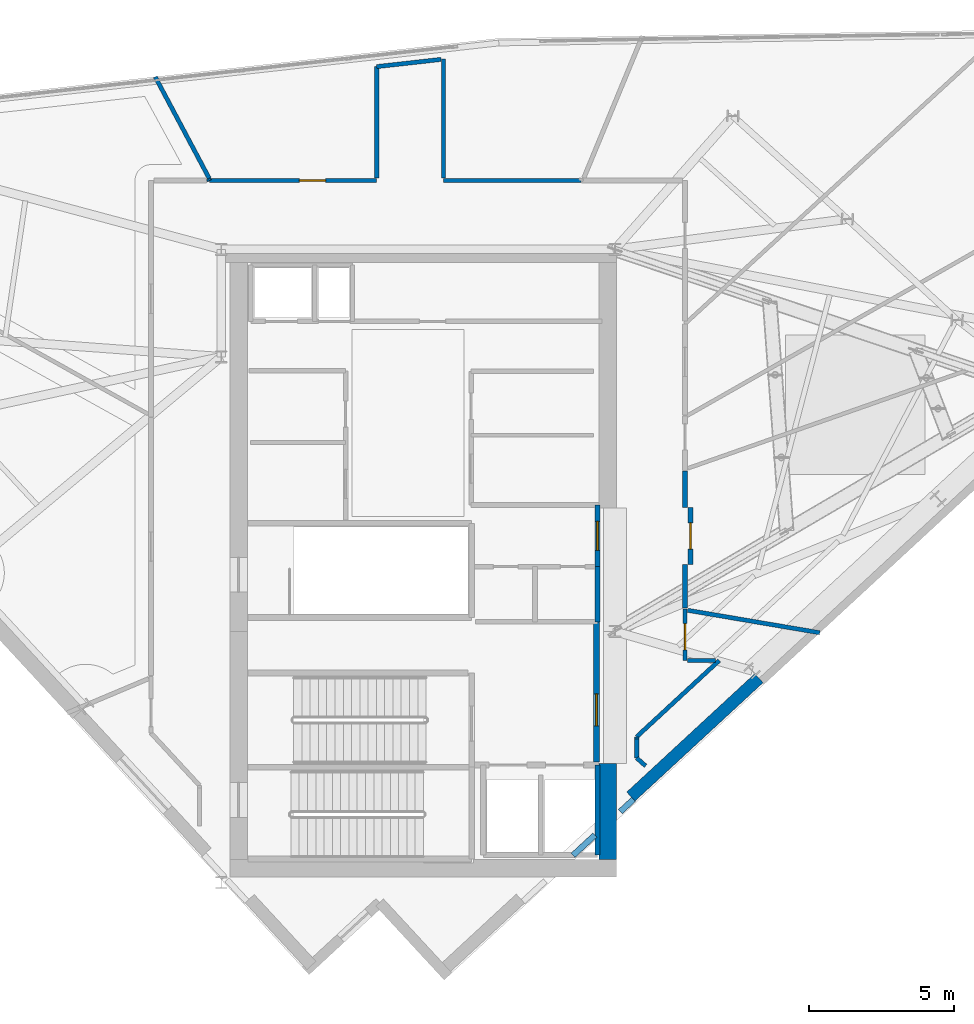
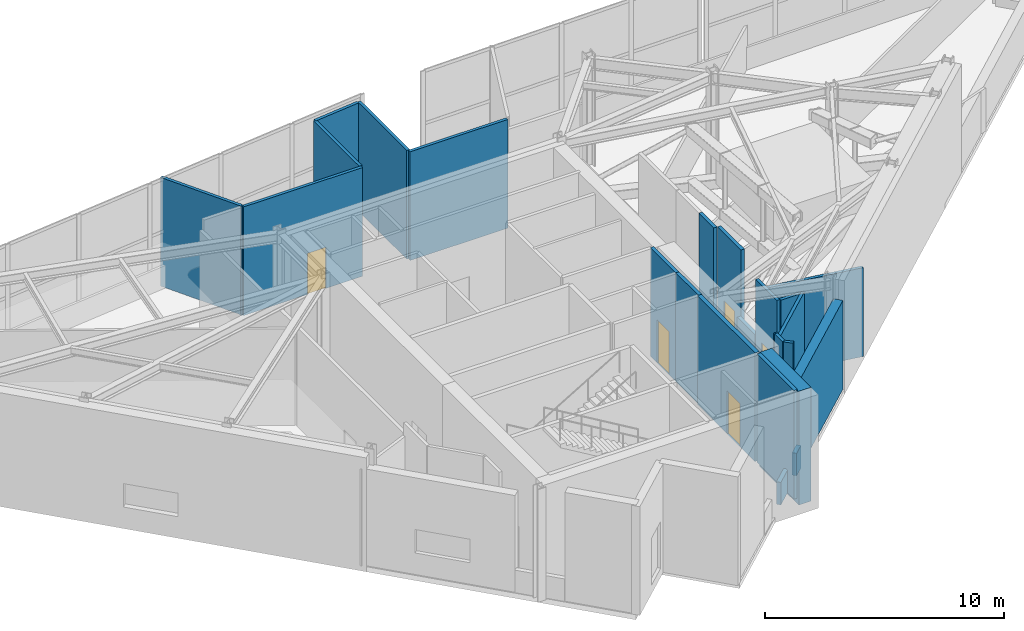
# One storey, part 11 of 15: 25 walls, 5 doors, 5 openings.
"""IFC4 building model written with IfcOpenShell, lengths in metres."""

from ifc_helpers import new_model, si_unit, direction, frame, frame_2d, origin, place, context, subcontext, project, spatial, rectangle, extrude, material, layer, layer_set, type_object, element, fill, save


model = new_model("IFC4")

# Units and contexts
model_context = context("Model", 3, precision=1e-05, world=origin(), true_north=direction((0.0, 1.0)))
body_context = subcontext(model_context, "Body", "Model", "MODEL_VIEW")
ifc_project = project(units=[si_unit("LENGTHUNIT", "METRE"), si_unit("AREAUNIT", "SQUARE_METRE"), si_unit("VOLUMEUNIT", "CUBIC_METRE"), si_unit("PLANEANGLEUNIT", "RADIAN"), si_unit("MASSUNIT", "GRAM", prefix="KILO")], contexts=[model_context])

# Site, building, storey
site_placement = place(None, origin())
site = spatial("IfcSite", under=ifc_project, at=site_placement, CompositionType="ELEMENT")
building_placement = place(site_placement, origin())
building = spatial("IfcBuilding", under=site, at=building_placement, Name="Narakoshi Arena Tower", CompositionType="ELEMENT")
storey_placement = place(building_placement, frame((0.0, 0.0, 292.419921875)))
storey = spatial("IfcBuildingStorey", under=building, at=storey_placement, Name="L80", CompositionType="ELEMENT", Elevation=292.419921875)

# Wall
ifc_material_1 = material(Name="Concrete C50/60", Category="concrete")
ifc_layer_1 = layer(ifc_material_1, 0.60009765625)
ifc_layer_set_1 = layer_set([ifc_layer_1], Name="Concrete C50/60")
wall_type_1 = type_object("IfcWallType", Name="WL-CORE-600", PredefinedType="SHEAR", material=ifc_layer_set_1)
wall_1_placement = place(storey_placement, frame((85.300048828125, 35.5, -0.260009765625), z_axis=(0.0, 0.0, 1.0), x_axis=(0.0, 1.0, 0.0)))
element("IfcWall", 1, at=wall_1_placement, inside=storey, type_object=wall_type_1, Name="L80 Central Core Shear Wall CW-APX-E", PredefinedType="SHEAR", context=body_context, shape_type="SweptSolid", body=[
    extrude(rectangle(XDim=3.300048828125, YDim=0.60009765625, at=frame_2d((1.64990234375, 0.0))), origin(), (0.0, 0.0, 1.0), 5.820068359375),
])

# Wall, opening, door
ifc_material_2 = material(Name="Gypsum plasterboard fire-rated partition")
ifc_layer_2 = layer(ifc_material_2, 0.1650390625)
ifc_layer_set_2 = layer_set([ifc_layer_2], Name="Gypsum plasterboard fire-rated partition")
wall_type_2 = type_object("IfcWallType", Name="WL-CORR-165", PredefinedType="PARTITIONING", material=ifc_layer_set_2)
wall_2_placement = place(storey_placement, frame((84.949951171875, 45.580078125, 0.0), z_axis=(0.0, 0.0, 1.0), x_axis=(0.0, 1.0, 0.0)))
wall_2 = element("IfcWall", 2, at=wall_2_placement, inside=storey, type_object=wall_type_2, Name="L80 Core Wall CPAS-E", PredefinedType="PARTITIONING", context=body_context, shape_type="SweptSolid", body=[
    extrude(rectangle(XDim=2.119873046875, YDim=0.1650390625, at=frame_2d((1.06005859375, 0.0))), origin(), (0.0, 0.0, 1.0), 5.56005859375),
])
opening_1_placement = place(wall_2_placement, frame((0.56005859375, 0.0, 0.0)))
opening_1 = element("IfcOpeningElement", 3, at=opening_1_placement, cuts=wall_2, Name="Opening D-06", PredefinedType="OPENING", context=body_context, shape_type="SweptSolid", body=[
    extrude(rectangle(XDim=1.0, YDim=2.199951171875, at=frame_2d((0.5, 1.10009765625))), frame((0.0, 0.092529296875, 0.0), z_axis=(0.0, -1.0, 0.0), x_axis=(1.0, 0.0, 0.0)), (0.0, 0.0, 1.0), 0.18505859375),
])
ifc_material_3 = material(Name="Stained oak solid-core timber", Category="wood")
door_type_1 = type_object("IfcDoorType", Name="DR-OFF-1000", OperationType="NOTDEFINED", PredefinedType="DOOR", material=ifc_material_3)
door_1_placement = place(opening_1_placement, frame((1.0, 0.0, 0.0), z_axis=(0.0, 0.0, 1.0), x_axis=(-1.0, 0.0, 0.0)))
door_1 = element("IfcDoor", 4, at=door_1_placement, inside=storey, type_object=door_type_1, Name="DR-L80-007", OperationType="SINGLE_SWING_LEFT", OverallHeight=2.199951171875, OverallWidth=1.0, PredefinedType="DOOR", context=body_context, shape_type="SweptSolid", body=[
    extrude(rectangle(XDim=1.0, YDim=2.199951171875, at=frame_2d((0.5, 1.10009765625))), frame((0.0, 0.02490234375, 0.0), z_axis=(0.0, -1.0, 0.0), x_axis=(1.0, 0.0, 0.0)), (0.0, 0.0, 1.0), 0.050048828125),
])
fill(opening_1, door_1)

wall_3_placement = place(storey_placement, frame((88.14990234375, 45.64990234375, 0.0), z_axis=(0.0, 0.0, 1.0), x_axis=(0.0, 1.0, 0.0)))
wall_3 = element("IfcWall", 5, at=wall_3_placement, inside=storey, type_object=wall_type_2, Name="L80 Corridor Partition 04-1", PredefinedType="PARTITIONING", context=body_context, shape_type="SweptSolid", body=[
    extrude(rectangle(XDim=1.97021484375, YDim=0.1650390625, at=frame_2d((0.985107421875, 0.0))), origin(), (0.0, 0.0, 1.0), 5.56005859375),
])
opening_2_placement = place(wall_3_placement, frame((0.534912109375, 0.0, 0.0)))
opening_2 = element("IfcOpeningElement", 6, at=opening_2_placement, cuts=wall_3, Name="Opening D-08", PredefinedType="OPENING", context=body_context, shape_type="SweptSolid", body=[
    extrude(rectangle(XDim=0.89990234375, YDim=2.10009765625, at=frame_2d((0.449951171875, 1.050048828125))), frame((0.0, 0.092529296875, 0.0), z_axis=(0.0, -1.0, 0.0), x_axis=(1.0, 0.0, 0.0)), (0.0, 0.0, 1.0), 0.18505859375),
])
ifc_material_4 = material(Name="Moisture-resistant laminate timber", Category="wood")
door_type_2 = type_object("IfcDoorType", Name="DR-WC-900", OperationType="NOTDEFINED", PredefinedType="DOOR", material=ifc_material_4)
door_2_placement = place(opening_2_placement, frame((0.89990234375, 0.0, 0.0), z_axis=(0.0, 0.0, 1.0), x_axis=(-1.0, 0.0, 0.0)))
door_2 = element("IfcDoor", 7, at=door_2_placement, inside=storey, type_object=door_type_2, Name="DR-L80-020", OperationType="SINGLE_SWING_LEFT", OverallHeight=2.10009765625, OverallWidth=0.89990234375, PredefinedType="DOOR", context=body_context, shape_type="SweptSolid", body=[
    extrude(rectangle(XDim=0.89990234375, YDim=2.10009765625, at=frame_2d((0.449951171875, 1.050048828125))), frame((0.0, 0.02490234375, 0.0), z_axis=(0.0, -1.0, 0.0), x_axis=(1.0, 0.0, 0.0)), (0.0, 0.0, 1.0), 0.050048828125),
])
fill(opening_2, door_2)

# Walls
wall_4_placement = place(storey_placement, frame((87.966796875, 44.152099609375, 0.0), z_axis=(0.0, 0.0, 1.0), x_axis=(0.0, 1.0, 0.0)))
element("IfcWall", 8, at=wall_4_placement, inside=storey, type_object=wall_type_2, Name="L80 Corridor Partition 04-2", PredefinedType="PARTITIONING", context=body_context, shape_type="SweptSolid", body=[
    extrude(rectangle(XDim=1.497802734375, YDim=0.1650390625, at=frame_2d((0.7490234375, 0.0))), origin(), (0.0, 0.0, 1.0), 2.195068359375),
])
wall_5_placement = place(storey_placement, frame((87.966796875, 47.6201171875, 0.0), z_axis=(0.0, 0.0, 1.0), x_axis=(0.0, 1.0, 0.0)))
element("IfcWall", 9, at=wall_5_placement, inside=storey, type_object=wall_type_2, Name="L80 Corridor Partition 04-3", PredefinedType="PARTITIONING", context=body_context, shape_type="SweptSolid", body=[
    extrude(rectangle(XDim=1.24560546875, YDim=0.1650390625, at=frame_2d((0.622802734375, 0.0))), origin(), (0.0, 0.0, 1.0), 5.56005859375),
])
ifc_material_5 = material(Name="Precast concrete C45/55", Category="concrete")
ifc_layer_3 = layer(ifc_material_5, 0.25)
ifc_layer_set_3 = layer_set([ifc_layer_3], Name="Precast concrete C45/55")
wall_type_3 = type_object("IfcWallType", Name="WL-PARA-250", PredefinedType="PARAPET", material=ifc_layer_set_3)
wall_6_placement = place(storey_placement, frame((86.191650390625, 37.56591796875, 0.0), z_axis=(0.0, 0.0, 1.0), x_axis=(-0.734346728958, -0.678774544064, 0.0)))
element("IfcWall", 10, at=wall_6_placement, inside=storey, type_object=wall_type_3, Name="L80 Crown Sill Upstand Parapet 03", PredefinedType="PARAPET", context=body_context, shape_type="SweptSolid", body=[
    extrude(rectangle(XDim=0.614990234375, YDim=0.199951171875, at=frame_2d((0.3076171875, 0.0))), origin(), (0.0, 0.0, 1.0), 1.150146484375),
])
wall_7_placement = place(storey_placement, frame((84.860107421875, 36.3349609375, 0.0), z_axis=(0.0, 0.0, 1.0), x_axis=(-0.734337093013, -0.678784968768, 0.0)))
element("IfcWall", 11, at=wall_7_placement, inside=storey, type_object=wall_type_3, Name="L80 Crown Sill Upstand Parapet 04", PredefinedType="PARAPET", context=body_context, shape_type="SweptSolid", body=[
    extrude(rectangle(XDim=1.02392578125, YDim=0.199951171875, at=frame_2d((0.511962890625, 0.0))), origin(), (0.0, 0.0, 1.0), 1.150146484375),
])
ifc_layer_4 = layer(ifc_material_5, 0.419921875)
ifc_layer_set_4 = layer_set([ifc_layer_4], Name="Precast concrete C45/55")
wall_type_4 = type_object("IfcWallType", Name="WL-POD-420", PredefinedType="SOLIDWALL", material=ifc_layer_set_4)
wall_8_placement = place(storey_placement, frame((86.10009765625, 37.6650390625, 0.0), z_axis=(0.0, 0.0, 1.0), x_axis=(0.734321413343, 0.678801931277, 0.0)))
element("IfcWall", 12, at=wall_8_placement, inside=storey, type_object=wall_type_4, Name="L80 Architectural Concrete Facade Wall LEGA-2", PredefinedType="SOLIDWALL", context=body_context, shape_type="SweptSolid", body=[
    extrude(rectangle(XDim=6.00244140625, YDim=0.419921875, at=frame_2d((3.001220703125, 0.0))), origin(), (0.0, 0.0, 1.0), 4.545166015625),
])
ifc_material_6 = material(Name="Concrete C40/50", Category="concrete")
ifc_layer_5 = layer(ifc_material_6, 0.280029296875)
ifc_layer_set_5 = layer_set([ifc_layer_5], Name="Concrete C40/50")
wall_type_5 = type_object("IfcWallType", Name="WL-RISER-280", PredefinedType="PLUMBINGWALL", material=ifc_layer_set_5)
wall_9_placement = place(storey_placement, frame((84.949951171875, 43.679931640625, 0.0), z_axis=(0.0, 0.0, 1.0), x_axis=(0.0, 1.0, 0.0)))
element("IfcWall", 13, at=wall_9_placement, inside=storey, type_object=wall_type_5, Name="L80 Core Wall RSR-E", PredefinedType="PLUMBINGWALL", context=body_context, shape_type="SweptSolid", body=[
    extrude(rectangle(XDim=1.900146484375, YDim=0.1650390625, at=frame_2d((0.9501953125, 0.0))), origin(), (0.0, 0.0, 1.0), 5.56005859375),
])
ifc_layer_6 = layer(ifc_material_1, 0.35009765625)
ifc_layer_set_6 = layer_set([ifc_layer_6], Name="Concrete C50/60")
wall_type_6 = type_object("IfcWallType", Name="WL-SHAFT-350", PredefinedType="SOLIDWALL", material=ifc_layer_set_6)
wall_10_placement = place(storey_placement, frame((84.949951171875, 35.64990234375, 0.0), z_axis=(0.0, 0.0, 1.0), x_axis=(0.0, 1.0, 0.0)))
element("IfcWall", 14, at=wall_10_placement, inside=storey, type_object=wall_type_6, Name="L80 Core Wall FF-E", PredefinedType="SOLIDWALL", context=body_context, shape_type="SweptSolid", body=[
    extrude(rectangle(XDim=3.10009765625, YDim=0.179931640625, at=frame_2d((1.550048828125, 0.0))), origin(), (0.0, 0.0, 1.0), 5.56005859375),
])

# Wall, opening, door
wall_11_placement = place(storey_placement, frame((84.919921875, 38.85009765625, 0.0), z_axis=(0.0, 0.0, 1.0), x_axis=(0.0, 1.0, 0.0)))
wall_11 = element("IfcWall", 15, at=wall_11_placement, inside=storey, type_object=wall_type_6, Name="L80 Core Wall FFLOB-E", PredefinedType="SOLIDWALL", context=body_context, shape_type="SweptSolid", body=[
    extrude(rectangle(XDim=4.829833984375, YDim=0.199951171875, at=frame_2d((2.4150390625, 0.0))), origin(), (0.0, 0.0, 1.0), 5.56005859375),
])
opening_3_placement = place(wall_11_placement, frame((1.25, 0.0, 0.0)))
opening_3 = element("IfcOpeningElement", 16, at=opening_3_placement, cuts=wall_11, Name="Opening D-04", PredefinedType="OPENING", context=body_context, shape_type="SweptSolid", body=[
    extrude(rectangle(XDim=1.10009765625, YDim=2.199951171875, at=frame_2d((0.550048828125, 1.10009765625))), frame((0.0, 0.10986328125, 0.0), z_axis=(0.0, -1.0, 0.0), x_axis=(1.0, 0.0, 0.0)), (0.0, 0.0, 1.0), 0.219970703125),
])
ifc_material_7 = material(Name="Painted galvanized steel", Category="steel")
door_type_3 = type_object("IfcDoorType", Name="DR-FFL-1100", OperationType="NOTDEFINED", PredefinedType="DOOR", material=ifc_material_7)
door_3_placement = place(opening_3_placement, frame((1.10009765625, 0.0, 0.0), z_axis=(0.0, 0.0, 1.0), x_axis=(-1.0, 0.0, 0.0)))
door_3 = element("IfcDoor", 17, at=door_3_placement, inside=storey, type_object=door_type_3, Name="DR-L80-005", OperationType="SINGLE_SWING_RIGHT", OverallHeight=2.199951171875, OverallWidth=1.10009765625, PredefinedType="DOOR", context=body_context, shape_type="SweptSolid", body=[
    extrude(rectangle(XDim=1.10009765625, YDim=2.199951171875, at=frame_2d((0.550048828125, 1.10009765625))), frame((0.0, 0.02490234375, 0.0), z_axis=(0.0, -1.0, 0.0), x_axis=(1.0, 0.0, 0.0)), (0.0, 0.0, 1.0), 0.050048828125),
])
fill(opening_3, door_3)

# Wall
ifc_material_8 = material(Name="Moisture-resistant cement-board partition")
ifc_layer_7 = layer(ifc_material_8, 0.14501953125)
ifc_layer_set_7 = layer_set([ifc_layer_7], Name="Moisture-resistant cement-board partition")
wall_type_7 = type_object("IfcWallType", Name="WL-WET-145", PredefinedType="PARTITIONING", material=ifc_layer_set_7)
wall_12_placement = place(storey_placement, frame((86.300048828125, 39.722412109375, 0.0), z_axis=(0.0, 0.0, 1.0), x_axis=(0.734312402088, 0.678811679436, 0.0)))
element("IfcWall", 18, at=wall_12_placement, inside=storey, type_object=wall_type_7, Name="L80 Corridor Partition 02-1", PredefinedType="PARTITIONING", context=body_context, shape_type="SweptSolid", body=[
    extrude(rectangle(XDim=3.87109375, YDim=0.14501953125, at=frame_2d((1.935546875, 0.0))), origin(), (0.0, 0.0, 1.0), 5.045166015625),
])

# Wall, opening, door
wall_13_placement = place(storey_placement, frame((87.966796875, 42.35009765625, 0.0), z_axis=(0.0, 0.0, 1.0), x_axis=(0.0, 1.0, 0.0)))
wall_13 = element("IfcWall", 19, at=wall_13_placement, inside=storey, type_object=wall_type_7, Name="L80 Corridor Partition 02-2", PredefinedType="PARTITIONING", context=body_context, shape_type="SweptSolid", body=[
    extrude(rectangle(XDim=1.777587890625, YDim=0.14501953125, at=frame_2d((0.888671875, 0.0))), origin(), (0.0, 0.0, 1.0), 5.045166015625),
])
opening_4_placement = place(wall_13_placement, frame((0.3671875, 0.0, 0.0)))
opening_4 = element("IfcOpeningElement", 20, at=opening_4_placement, cuts=wall_13, Name="Opening D-08", PredefinedType="OPENING", context=body_context, shape_type="SweptSolid", body=[
    extrude(rectangle(XDim=0.89990234375, YDim=2.10009765625, at=frame_2d((0.449951171875, 1.050048828125))), frame((0.0, 0.08251953125, 0.0), z_axis=(0.0, -1.0, 0.0), x_axis=(1.0, 0.0, 0.0)), (0.0, 0.0, 1.0), 0.1650390625),
])
door_4_placement = place(opening_4_placement, frame((0.89990234375, 0.0, 0.0), z_axis=(0.0, 0.0, 1.0), x_axis=(-1.0, 0.0, 0.0)))
door_4 = element("IfcDoor", 21, at=door_4_placement, inside=storey, type_object=door_type_2, Name="DR-L80-018", OperationType="SINGLE_SWING_LEFT", OverallHeight=2.10009765625, OverallWidth=0.89990234375, PredefinedType="DOOR", context=body_context, shape_type="SweptSolid", body=[
    extrude(rectangle(XDim=0.89990234375, YDim=2.10009765625, at=frame_2d((0.449951171875, 1.050048828125))), frame((0.0, 0.02490234375, 0.0), z_axis=(0.0, -1.0, 0.0), x_axis=(1.0, 0.0, 0.0)), (0.0, 0.0, 1.0), 0.050048828125),
])
fill(opening_4, door_4)

# Walls
wall_14_placement = place(storey_placement, frame((89.01806640625, 42.35009765625, 0.0), z_axis=(0.0, 0.0, 1.0), x_axis=(-1.0, 0.0, 0.0)))
element("IfcWall", 22, at=wall_14_placement, inside=storey, type_object=wall_type_7, Name="L80 Corridor Partition 02-3", PredefinedType="PARTITIONING", context=body_context, shape_type="SweptSolid", body=[
    extrude(rectangle(XDim=0.966796875, YDim=0.14501953125, at=frame_2d((0.4833984375, 0.0))), origin(), (0.0, 0.0, 1.0), 5.045166015625),
])
wall_15_placement = place(storey_placement, frame((86.300048828125, 39.640625, 0.0), z_axis=(0.0, 0.0, 1.0), x_axis=(0.0, 1.0, 0.0)))
element("IfcWall", 23, at=wall_15_placement, inside=storey, type_object=wall_type_7, Name="L80 Corridor Partition 02-4", PredefinedType="PARTITIONING", context=body_context, shape_type="SweptSolid", body=[
    extrude(rectangle(XDim=0.081787109375, YDim=0.14501953125, at=frame_2d((0.041015625, 0.0))), origin(), (0.0, 0.0, 1.0), 5.56005859375),
])
wall_16_placement = place(storey_placement, frame((88.05126953125, 44.076904296875, 0.0), z_axis=(0.0, 0.0, 1.0), x_axis=(0.985838283524, -0.167698773815, 0.0)))
element("IfcWall", 24, at=wall_16_placement, inside=storey, type_object=wall_type_7, Name="L80 Inter-Room Partition 02-04", PredefinedType="PARTITIONING", context=body_context, shape_type="SweptSolid", body=[
    extrude(rectangle(XDim=4.617919921875, YDim=0.14501953125, at=frame_2d((2.30908203125, 0.0))), origin(), (0.0, 0.0, 1.0), 4.545166015625),
])

# Wall, opening, door
wall_17_placement = place(storey_placement, frame((77.35009765625, 58.86669921875, 0.0), z_axis=(0.0, 0.0, 1.0), x_axis=(-1.0, 0.0, 0.0)))
wall_17 = element("IfcWall", 25, at=wall_17_placement, inside=storey, type_object=wall_type_7, Name="L80 Corridor Partition 07-1", PredefinedType="PARTITIONING", context=body_context, shape_type="SweptSolid", body=[
    extrude(rectangle(XDim=5.754638671875, YDim=0.14501953125, at=frame_2d((2.87744140625, 0.0))), origin(), (0.0, 0.0, 1.0), 5.56005859375),
])
opening_5_placement = place(wall_17_placement, frame((1.759033203125, 0.0, 0.0)))
opening_5 = element("IfcOpeningElement", 26, at=opening_5_placement, cuts=wall_17, Name="Opening D-08", PredefinedType="OPENING", context=body_context, shape_type="SweptSolid", body=[
    extrude(rectangle(XDim=0.89990234375, YDim=2.10009765625, at=frame_2d((0.449951171875, 1.050048828125))), frame((0.0, 0.08251953125, 0.0), z_axis=(0.0, -1.0, 0.0), x_axis=(1.0, 0.0, 0.0)), (0.0, 0.0, 1.0), 0.1650390625),
])
door_5_placement = place(opening_5_placement, frame((0.89990234375, 0.0, 0.0), z_axis=(0.0, 0.0, 1.0), x_axis=(-1.0, 0.0, 0.0)))
door_5 = element("IfcDoor", 27, at=door_5_placement, inside=storey, type_object=door_type_2, Name="DR-L80-023", OperationType="SINGLE_SWING_RIGHT", OverallHeight=2.10009765625, OverallWidth=0.89990234375, PredefinedType="DOOR", context=body_context, shape_type="SweptSolid", body=[
    extrude(rectangle(XDim=0.89990234375, YDim=2.10009765625, at=frame_2d((0.449951171875, 1.050048828125))), frame((0.0, 0.02490234375, 0.0), z_axis=(0.0, -1.0, 0.0), x_axis=(1.0, 0.0, 0.0)), (0.0, 0.0, 1.0), 0.050048828125),
])
fill(opening_5, door_5)

# Walls
wall_18_placement = place(storey_placement, frame((84.37744140625, 58.86669921875, 0.0), z_axis=(0.0, 0.0, 1.0), x_axis=(-1.0, 0.0, 0.0)))
element("IfcWall", 28, at=wall_18_placement, inside=storey, type_object=wall_type_7, Name="L80 Corridor Partition 07-2", PredefinedType="PARTITIONING", context=body_context, shape_type="SweptSolid", body=[
    extrude(rectangle(XDim=4.7275390625, YDim=0.14501953125, at=frame_2d((2.36376953125, 0.0))), origin(), (0.0, 0.0, 1.0), 5.56005859375),
])
wall_19_placement = place(storey_placement, frame((79.64990234375, 58.951416015625, 0.0), z_axis=(0.0, 0.0, 1.0), x_axis=(0.0, 1.0, 0.0)))
element("IfcWall", 29, at=wall_19_placement, inside=storey, type_object=wall_type_7, Name="L80 Corridor Partition 07-3", PredefinedType="PARTITIONING", context=body_context, shape_type="SweptSolid", body=[
    extrude(rectangle(XDim=4.096435546875, YDim=0.14501953125, at=frame_2d((2.04833984375, 0.0))), origin(), (0.0, 0.0, 1.0), 5.56005859375),
])
wall_20_placement = place(storey_placement, frame((77.35009765625, 62.7900390625, 0.0), z_axis=(0.0, 0.0, 1.0), x_axis=(0.0, -1.0, 0.0)))
element("IfcWall", 30, at=wall_20_placement, inside=storey, type_object=wall_type_7, Name="L80 Corridor Partition 07-4", PredefinedType="PARTITIONING", context=body_context, shape_type="SweptSolid", body=[
    extrude(rectangle(XDim=3.838623046875, YDim=0.14501953125, at=frame_2d((1.91943359375, 0.0))), origin(), (0.0, 0.0, 1.0), 5.56005859375),
])
wall_21_placement = place(storey_placement, frame((79.5654296875, 63.038330078125, 0.0), z_axis=(0.0, 0.0, 1.0), x_axis=(-0.993777768559, -0.111381087792, 0.0)))
element("IfcWall", 31, at=wall_21_placement, inside=storey, type_object=wall_type_7, Name="L80 Corridor Partition 07-5", PredefinedType="PARTITIONING", context=body_context, shape_type="SweptSolid", body=[
    extrude(rectangle(XDim=2.229248046875, YDim=0.14501953125, at=frame_2d((1.11474609375, 0.0))), origin(), (0.0, 0.0, 1.0), 5.56005859375),
])
wall_22_placement = place(storey_placement, frame((71.595458984375, 58.86669921875, 0.0), z_axis=(0.0, 0.0, 1.0), x_axis=(-0.478351827629, 0.878168280573, 0.0)))
element("IfcWall", 32, at=wall_22_placement, inside=storey, type_object=wall_type_7, Name="L80 Corridor Partition 07-6", PredefinedType="PARTITIONING", context=body_context, shape_type="SweptSolid", body=[
    extrude(rectangle(XDim=0.068359375, YDim=0.14501953125, at=frame_2d((0.0341796875, 0.0))), origin(), (0.0, 0.0, 1.0), 5.56005859375),
])
wall_23_placement = place(storey_placement, frame((71.588623046875, 58.94091796875, 0.0), z_axis=(0.0, 0.0, 1.0), x_axis=(-0.469769313207, 0.882789211742, 0.0)))
element("IfcWall", 33, at=wall_23_placement, inside=storey, type_object=wall_type_7, Name="L80 Inter-Room Partition 07-08", PredefinedType="PARTITIONING", context=body_context, shape_type="SweptSolid", body=[
    extrude(rectangle(XDim=3.962158203125, YDim=0.14501953125, at=frame_2d((1.98095703125, 0.0))), origin(), (0.0, 0.0, 1.0), 5.56005859375),
])
wall_24_placement = place(storey_placement, frame((86.60791015625, 38.72021484375, 0.0), z_axis=(0.0, 0.0, 1.0), x_axis=(-0.749438807103, 0.66207361706, 0.0)))
element("IfcWall", 34, at=wall_24_placement, inside=storey, type_object=wall_type_7, Name="L80 Room Enclosure Partition 02-1", PredefinedType="PARTITIONING", context=body_context, shape_type="SweptSolid", body=[
    extrude(rectangle(XDim=0.410888671875, YDim=0.14501953125, at=frame_2d((0.20556640625, 0.0))), origin(), (0.0, 0.0, 1.0), 5.56005859375),
])
wall_25_placement = place(storey_placement, frame((86.300048828125, 38.9921875, 0.0), z_axis=(0.0, 0.0, 1.0), x_axis=(0.0, 1.0, 0.0)))
element("IfcWall", 35, at=wall_25_placement, inside=storey, type_object=wall_type_7, Name="L80 Room Enclosure Partition 02-2", PredefinedType="PARTITIONING", context=body_context, shape_type="SweptSolid", body=[
    extrude(rectangle(XDim=0.6484375, YDim=0.14501953125, at=frame_2d((0.32421875, 0.0))), origin(), (0.0, 0.0, 1.0), 5.56005859375),
])

save(model, "model.ifc")
